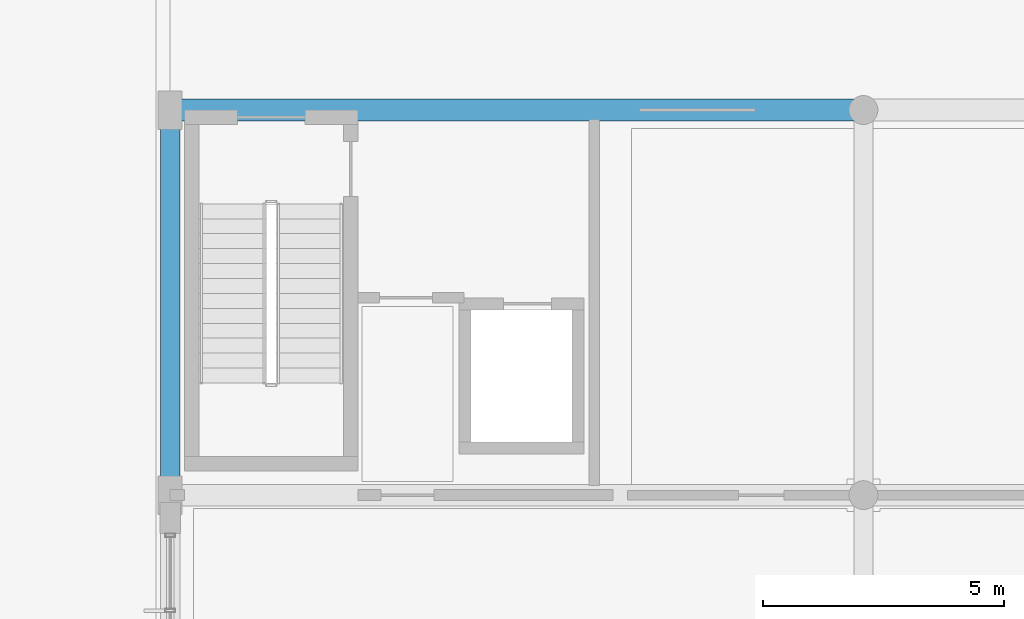
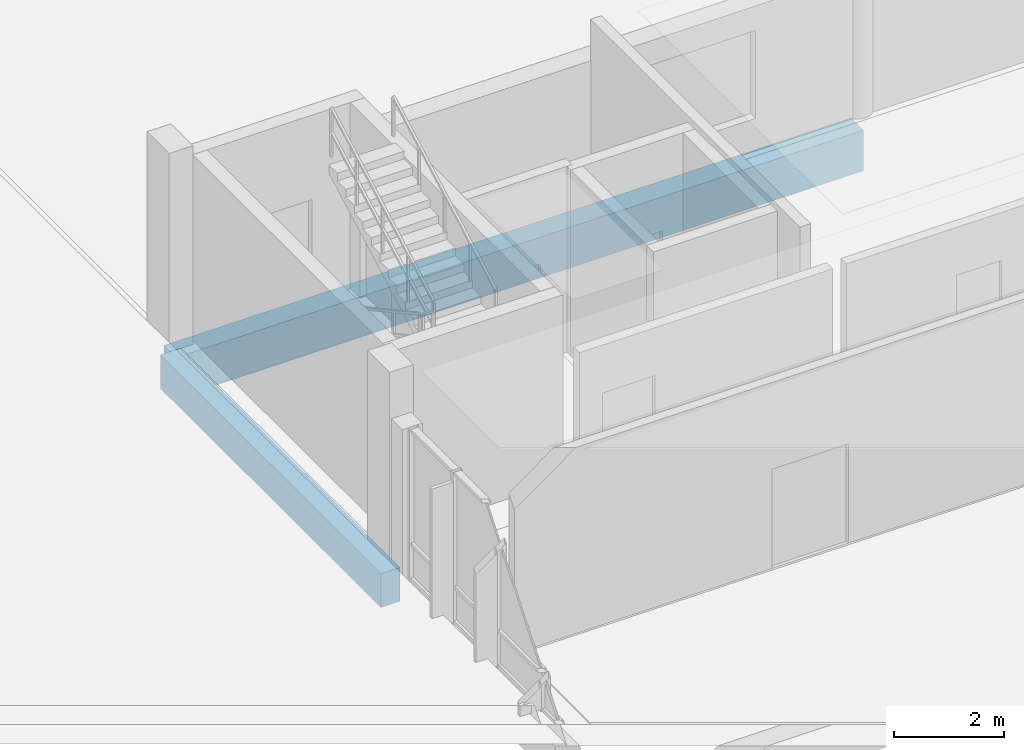
# One storey, part 94 of 233: 2 beams.
"""IFC4 building model written with IfcOpenShell, lengths in metres."""

from ifc_helpers import new_model, si_unit, direction, frame, origin, origin_2d, place, context, subcontext, project, spatial, rectangle, extrude, material, material_profile, profile_set, type_object, element, save


model = new_model("IFC4")

# Units and contexts
model_context = context("Model", 3, precision=1e-05, world=origin(), true_north=direction((0.0, 1.0)))
body_context = subcontext(model_context, "Body", "Model", "MODEL_VIEW")
ifc_project = project(units=[si_unit("LENGTHUNIT", "METRE"), si_unit("AREAUNIT", "SQUARE_METRE"), si_unit("VOLUMEUNIT", "CUBIC_METRE"), si_unit("PLANEANGLEUNIT", "RADIAN"), si_unit("MASSUNIT", "GRAM", prefix="KILO")], contexts=[model_context])

# Site, building, storey
site_placement = place(None, origin())
site = spatial("IfcSite", under=ifc_project, at=site_placement, CompositionType="ELEMENT")
building_placement = place(site_placement, origin())
building = spatial("IfcBuilding", under=site, at=building_placement, Name="Zavelmont Quarter", CompositionType="ELEMENT")
storey_placement = place(building_placement, origin())
storey = spatial("IfcBuildingStorey", under=building, at=storey_placement, Name="L00", CompositionType="ELEMENT", Elevation=0.0)

# Beams
ifc_material = material(Name="Concrete C40/50", Category="concrete")
ifc_material_profile_1 = material_profile(ifc_material, rectangle(XDim=0.39990234375, YDim=0.75, at=origin_2d()), Name="RC400X750")
ifc_profile_set_1 = profile_set([ifc_material_profile_1], Name="Concrete C40/50")
beam_type_1 = type_object("IfcBeamType", Name="BM05", PredefinedType="BEAM", material=ifc_profile_set_1)
beam_1_placement = place(storey_placement, frame((55.199951171875, 78.0, -0.695068359375), z_axis=(0.0, 1.0, 0.0), x_axis=(-1.0, 0.0, 0.0)))
element("IfcBeam", 1, at=beam_1_placement, inside=storey, type_object=beam_type_1, Name="L00 beam BM05 9/M to 9/N", PredefinedType="BEAM", context=body_context, shape_type="SweptSolid", body=[
    extrude(rectangle(XDim=0.39990234375, YDim=0.75, at=origin_2d()), origin(), (0.0, 0.0, 1.0), 8.0),
])
ifc_material_profile_2 = material_profile(ifc_material, rectangle(XDim=0.449951171875, YDim=0.89990234375, at=origin_2d()), Name="RC450X900")
ifc_profile_set_2 = profile_set([ifc_material_profile_2], Name="Concrete C40/50")
beam_type_2 = type_object("IfcBeamType", Name="BM06", PredefinedType="BEAM", material=ifc_profile_set_2)
beam_2_placement = place(storey_placement, frame((55.199951171875, 86.0, -0.77001953125), z_axis=(1.0, 0.0, 0.0), x_axis=(0.0, 1.0, 0.0)))
element("IfcBeam", 2, at=beam_2_placement, inside=storey, type_object=beam_type_2, Name="L00 beam BM06 9/N to 11/N", PredefinedType="BEAM", context=body_context, shape_type="SweptSolid", body=[
    extrude(rectangle(XDim=0.449951171875, YDim=0.89990234375, at=origin_2d()), origin(), (0.0, 0.0, 1.0), 14.400146484375),
])

save(model, "model.ifc")
